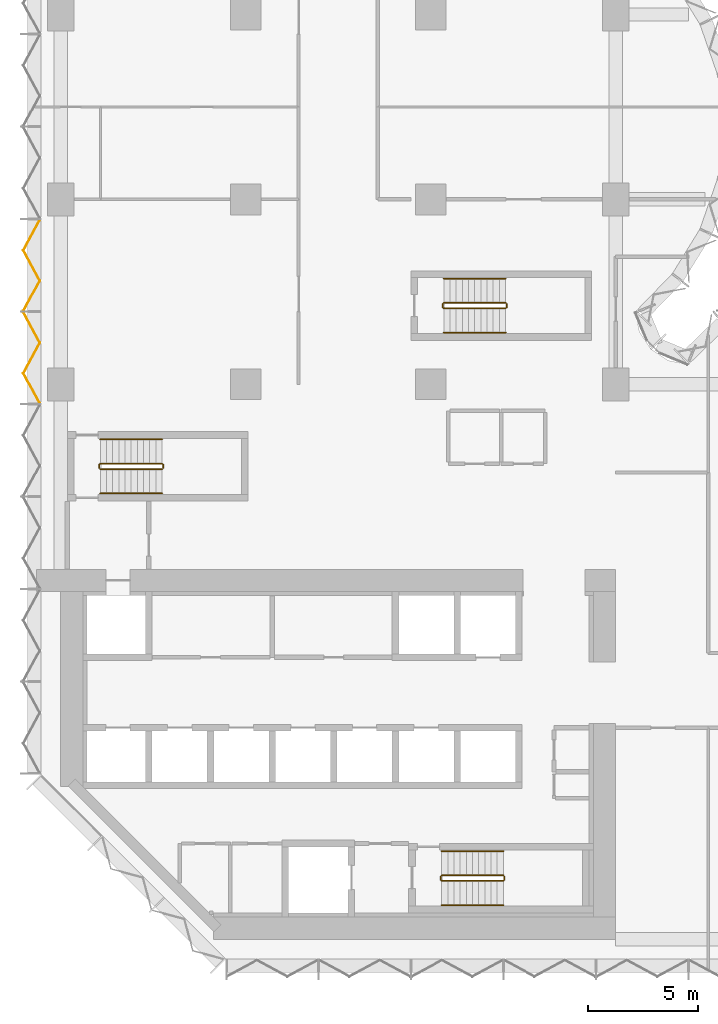
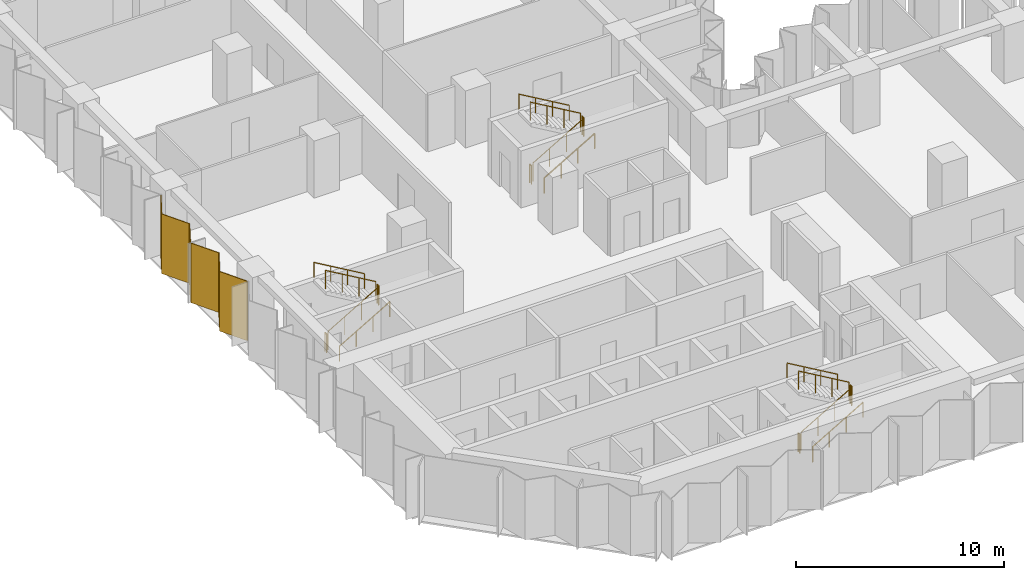
# One storey, part 13 of 15: 18 railings, 2 coverings, 1 element without a shape of its own.
"""IFC4 building model written with IfcOpenShell, lengths in metres."""

from ifc_helpers import new_model, si_unit, direction, frame, origin, origin_2d, place, context, subcontext, project, spatial, polyline, circle, outline, extrude, material, layer, layer_set, type_object, element, aggregate, save


model = new_model("IFC4")

# Units and contexts
model_context = context("Model", 3, precision=1e-05, world=origin(), true_north=direction((0.0, 1.0)))
body_context = subcontext(model_context, "Body", "Model", "MODEL_VIEW")
ifc_project = project(units=[si_unit("LENGTHUNIT", "METRE"), si_unit("AREAUNIT", "SQUARE_METRE"), si_unit("VOLUMEUNIT", "CUBIC_METRE"), si_unit("PLANEANGLEUNIT", "RADIAN"), si_unit("MASSUNIT", "GRAM", prefix="KILO")], contexts=[model_context])

# Site, building, storey
site_placement = place(None, origin())
site = spatial("IfcSite", under=ifc_project, at=site_placement, CompositionType="ELEMENT")
building_placement = place(site_placement, origin())
building = spatial("IfcBuilding", under=site, at=building_placement, Name="Brevane Broadcast Tower", CompositionType="ELEMENT")
storey_placement = place(building_placement, frame((0.0, 0.0, 79.699951171875)))
storey = spatial("IfcBuildingStorey", under=building, at=storey_placement, Name="L18", CompositionType="ELEMENT", Elevation=79.699951171875)

# Railings
ifc_material_1 = material(Name="Steel S355", Category="steel")
railing_type_1 = type_object("IfcRailingType", Name="Exit stair guard", PredefinedType="GUARDRAIL", material=ifc_material_1)
railing_1_placement = place(storey_placement, frame((1.800048828125, 21.35009765625, 0.16357421875)))
element("IfcRailing", 1, at=railing_1_placement, inside=storey, type_object=railing_type_1, Name="L18 ST-1 stair guard 1", PredefinedType="GUARDRAIL", context=body_context, shape_type="SweptSolid", body=[
    extrude(circle(Radius=0.02392578125, at=origin_2d()), frame((0.0, 0.0, 1.076171875), z_axis=(0.863360870873, 0.0, 0.504586966384), x_axis=(0.0, 1.0, 0.0)), (0.0, 0.0, 1.0), 3.2431640625),
    extrude(circle(Radius=0.02099609375, at=origin_2d()), origin(), (0.0, 0.0, 1.0), 1.052001953125),
    extrude(circle(Radius=0.02099609375, at=origin_2d()), frame((0.933349609375, 0.0, 0.54541015625)), (0.0, 0.0, 1.0), 1.052001953125),
    extrude(circle(Radius=0.02099609375, at=origin_2d()), frame((1.86669921875, 0.0, 1.091064453125)), (0.0, 0.0, 1.0), 1.052001953125),
    extrude(circle(Radius=0.02099609375, at=origin_2d()), frame((2.800048828125, 0.0, 1.636474609375)), (0.0, 0.0, 1.0), 1.052001953125),
])
railing_2_placement = place(storey_placement, frame((4.64990234375, 21.39990234375, 1.800048828125)))
element("IfcRailing", 2, at=railing_2_placement, inside=storey, type_object=railing_type_1, Name="L18 ST-1 stair guard 2", PredefinedType="GUARDRAIL", context=body_context, shape_type="SweptSolid", body=[
    extrude(circle(Radius=0.02392578125, at=origin_2d()), frame((0.0, 0.0, 1.076171875), z_axis=(0.0, 1.0, 0.0), x_axis=(-1.0, 0.0, 0.0)), (0.0, 0.0, 1.0), 0.150146484375),
    extrude(circle(Radius=0.02099609375, at=origin_2d()), origin(), (0.0, 0.0, 1.0), 1.052001953125),
    extrude(circle(Radius=0.02099609375, at=origin_2d()), frame((0.0, 0.150146484375, 0.0)), (0.0, 0.0, 1.0), 1.052001953125),
])
railing_3_placement = place(storey_placement, frame((4.60009765625, 21.60009765625, 1.963623046875)))
element("IfcRailing", 3, at=railing_3_placement, inside=storey, type_object=railing_type_1, Name="L18 ST-1 stair guard 3", PredefinedType="GUARDRAIL", context=body_context, shape_type="SweptSolid", body=[
    extrude(circle(Radius=0.02392578125, at=origin_2d()), frame((0.0, 0.0, 1.076171875), z_axis=(-0.863360870873, 0.0, 0.504586966384), x_axis=(0.0, -1.0, 0.0)), (0.0, 0.0, 1.0), 3.2431640625),
    extrude(circle(Radius=0.02099609375, at=origin_2d()), origin(), (0.0, 0.0, 1.0), 1.052001953125),
    extrude(circle(Radius=0.02099609375, at=origin_2d()), frame((-0.933349609375, 0.0, 0.54541015625)), (0.0, 0.0, 1.0), 1.052001953125),
    extrude(circle(Radius=0.02099609375, at=origin_2d()), frame((-1.86669921875, 0.0, 1.091064453125)), (0.0, 0.0, 1.0), 1.052001953125),
    extrude(circle(Radius=0.02099609375, at=origin_2d()), frame((-2.800048828125, 0.0, 1.636474609375)), (0.0, 0.0, 1.0), 1.052001953125),
])
railing_4_placement = place(storey_placement, frame((1.75, 21.39990234375, 0.0)))
element("IfcRailing", 4, at=railing_4_placement, inside=storey, type_object=railing_type_1, Name="L18 ST-1 stair guard 4", PredefinedType="GUARDRAIL", context=body_context, shape_type="SweptSolid", body=[
    extrude(circle(Radius=0.02392578125, at=origin_2d()), frame((0.0, 0.0, 1.076171875), z_axis=(0.0, 1.0, 0.0), x_axis=(-1.0, 0.0, 0.0)), (0.0, 0.0, 1.0), 0.150146484375),
    extrude(circle(Radius=0.02099609375, at=origin_2d()), origin(), (0.0, 0.0, 1.0), 1.052001953125),
    extrude(circle(Radius=0.02099609375, at=origin_2d()), frame((0.0, 0.150146484375, 0.0)), (0.0, 0.0, 1.0), 1.052001953125),
])
railing_5_placement = place(storey_placement, frame((17.300048828125, 2.64990234375, 0.16357421875)))
element("IfcRailing", 5, at=railing_5_placement, inside=storey, type_object=railing_type_1, Name="L18 ST-2 stair guard 1", PredefinedType="GUARDRAIL", context=body_context, shape_type="SweptSolid", body=[
    extrude(circle(Radius=0.02392578125, at=origin_2d()), frame((0.0, 0.0, 1.076171875), z_axis=(0.863360870873, 0.0, 0.504586966384), x_axis=(0.0, 1.0, 0.0)), (0.0, 0.0, 1.0), 3.2431640625),
    extrude(circle(Radius=0.02099609375, at=origin_2d()), origin(), (0.0, 0.0, 1.0), 1.052001953125),
    extrude(circle(Radius=0.02099609375, at=origin_2d()), frame((0.933349609375, 0.0, 0.54541015625)), (0.0, 0.0, 1.0), 1.052001953125),
    extrude(circle(Radius=0.02099609375, at=origin_2d()), frame((1.86669921875, 0.0, 1.091064453125)), (0.0, 0.0, 1.0), 1.052001953125),
    extrude(circle(Radius=0.02099609375, at=origin_2d()), frame((2.800048828125, 0.0, 1.636474609375)), (0.0, 0.0, 1.0), 1.052001953125),
])
railing_6_placement = place(storey_placement, frame((20.14990234375, 2.699951171875, 1.800048828125)))
element("IfcRailing", 6, at=railing_6_placement, inside=storey, type_object=railing_type_1, Name="L18 ST-2 stair guard 2", PredefinedType="GUARDRAIL", context=body_context, shape_type="SweptSolid", body=[
    extrude(circle(Radius=0.02392578125, at=origin_2d()), frame((0.0, 0.0, 1.076171875), z_axis=(0.0, 1.0, 0.0), x_axis=(-1.0, 0.0, 0.0)), (0.0, 0.0, 1.0), 0.150146484375),
    extrude(circle(Radius=0.02099609375, at=origin_2d()), origin(), (0.0, 0.0, 1.0), 1.052001953125),
    extrude(circle(Radius=0.02099609375, at=origin_2d()), frame((0.0, 0.150146484375, 0.0)), (0.0, 0.0, 1.0), 1.052001953125),
])
railing_7_placement = place(storey_placement, frame((20.10009765625, 2.89990234375, 1.963623046875)))
element("IfcRailing", 7, at=railing_7_placement, inside=storey, type_object=railing_type_1, Name="L18 ST-2 stair guard 3", PredefinedType="GUARDRAIL", context=body_context, shape_type="SweptSolid", body=[
    extrude(circle(Radius=0.02392578125, at=origin_2d()), frame((0.0, 0.0, 1.076171875), z_axis=(-0.863360870873, 0.0, 0.504586966384), x_axis=(0.0, -1.0, 0.0)), (0.0, 0.0, 1.0), 3.2431640625),
    extrude(circle(Radius=0.02099609375, at=origin_2d()), origin(), (0.0, 0.0, 1.0), 1.052001953125),
    extrude(circle(Radius=0.02099609375, at=origin_2d()), frame((-0.933349609375, 0.0, 0.54541015625)), (0.0, 0.0, 1.0), 1.052001953125),
    extrude(circle(Radius=0.02099609375, at=origin_2d()), frame((-1.86669921875, 0.0, 1.091064453125)), (0.0, 0.0, 1.0), 1.052001953125),
    extrude(circle(Radius=0.02099609375, at=origin_2d()), frame((-2.800048828125, 0.0, 1.636474609375)), (0.0, 0.0, 1.0), 1.052001953125),
])
railing_8_placement = place(storey_placement, frame((17.25, 2.699951171875, 0.0)))
element("IfcRailing", 8, at=railing_8_placement, inside=storey, type_object=railing_type_1, Name="L18 ST-2 stair guard 4", PredefinedType="GUARDRAIL", context=body_context, shape_type="SweptSolid", body=[
    extrude(circle(Radius=0.02392578125, at=origin_2d()), frame((0.0, 0.0, 1.076171875), z_axis=(0.0, 1.0, 0.0), x_axis=(-1.0, 0.0, 0.0)), (0.0, 0.0, 1.0), 0.150146484375),
    extrude(circle(Radius=0.02099609375, at=origin_2d()), origin(), (0.0, 0.0, 1.0), 1.052001953125),
    extrude(circle(Radius=0.02099609375, at=origin_2d()), frame((0.0, 0.150146484375, 0.0)), (0.0, 0.0, 1.0), 1.052001953125),
])
railing_9_placement = place(storey_placement, frame((17.39990234375, 28.64990234375, 0.16357421875)))
element("IfcRailing", 9, at=railing_9_placement, inside=storey, type_object=railing_type_1, Name="L18 ST-3 stair guard 1", PredefinedType="GUARDRAIL", context=body_context, shape_type="SweptSolid", body=[
    extrude(circle(Radius=0.02392578125, at=origin_2d()), frame((0.0, 0.0, 1.076171875), z_axis=(0.863360870873, 0.0, 0.504586966384), x_axis=(0.0, 1.0, 0.0)), (0.0, 0.0, 1.0), 3.2431640625),
    extrude(circle(Radius=0.02099609375, at=origin_2d()), origin(), (0.0, 0.0, 1.0), 1.052001953125),
    extrude(circle(Radius=0.02099609375, at=origin_2d()), frame((0.933349609375, 0.0, 0.54541015625)), (0.0, 0.0, 1.0), 1.052001953125),
    extrude(circle(Radius=0.02099609375, at=origin_2d()), frame((1.86669921875, 0.0, 1.091064453125)), (0.0, 0.0, 1.0), 1.052001953125),
    extrude(circle(Radius=0.02099609375, at=origin_2d()), frame((2.800048828125, 0.0, 1.636474609375)), (0.0, 0.0, 1.0), 1.052001953125),
])
railing_10_placement = place(storey_placement, frame((20.25, 28.699951171875, 1.800048828125)))
element("IfcRailing", 10, at=railing_10_placement, inside=storey, type_object=railing_type_1, Name="L18 ST-3 stair guard 2", PredefinedType="GUARDRAIL", context=body_context, shape_type="SweptSolid", body=[
    extrude(circle(Radius=0.02392578125, at=origin_2d()), frame((0.0, 0.0, 1.076171875), z_axis=(0.0, 1.0, 0.0), x_axis=(-1.0, 0.0, 0.0)), (0.0, 0.0, 1.0), 0.150146484375),
    extrude(circle(Radius=0.02099609375, at=origin_2d()), origin(), (0.0, 0.0, 1.0), 1.052001953125),
    extrude(circle(Radius=0.02099609375, at=origin_2d()), frame((0.0, 0.150146484375, 0.0)), (0.0, 0.0, 1.0), 1.052001953125),
])
railing_11_placement = place(storey_placement, frame((20.199951171875, 28.89990234375, 1.963623046875)))
element("IfcRailing", 11, at=railing_11_placement, inside=storey, type_object=railing_type_1, Name="L18 ST-3 stair guard 3", PredefinedType="GUARDRAIL", context=body_context, shape_type="SweptSolid", body=[
    extrude(circle(Radius=0.02392578125, at=origin_2d()), frame((0.0, 0.0, 1.076171875), z_axis=(-0.863360870873, 0.0, 0.504586966384), x_axis=(0.0, -1.0, 0.0)), (0.0, 0.0, 1.0), 3.2431640625),
    extrude(circle(Radius=0.02099609375, at=origin_2d()), origin(), (0.0, 0.0, 1.0), 1.052001953125),
    extrude(circle(Radius=0.02099609375, at=origin_2d()), frame((-0.933349609375, 0.0, 0.54541015625)), (0.0, 0.0, 1.0), 1.052001953125),
    extrude(circle(Radius=0.02099609375, at=origin_2d()), frame((-1.86669921875, 0.0, 1.091064453125)), (0.0, 0.0, 1.0), 1.052001953125),
    extrude(circle(Radius=0.02099609375, at=origin_2d()), frame((-2.800048828125, 0.0, 1.636474609375)), (0.0, 0.0, 1.0), 1.052001953125),
])
railing_12_placement = place(storey_placement, frame((17.35009765625, 28.699951171875, 0.0)))
element("IfcRailing", 12, at=railing_12_placement, inside=storey, type_object=railing_type_1, Name="L18 ST-3 stair guard 4", PredefinedType="GUARDRAIL", context=body_context, shape_type="SweptSolid", body=[
    extrude(circle(Radius=0.02392578125, at=origin_2d()), frame((0.0, 0.0, 1.076171875), z_axis=(0.0, 1.0, 0.0), x_axis=(-1.0, 0.0, 0.0)), (0.0, 0.0, 1.0), 0.150146484375),
    extrude(circle(Radius=0.02099609375, at=origin_2d()), origin(), (0.0, 0.0, 1.0), 1.052001953125),
    extrude(circle(Radius=0.02099609375, at=origin_2d()), frame((0.0, 0.150146484375, 0.0)), (0.0, 0.0, 1.0), 1.052001953125),
])
railing_type_2 = type_object("IfcRailingType", Name="Exit stair handrail", PredefinedType="HANDRAIL", material=ifc_material_1)
railing_13_placement = place(storey_placement, frame((1.800048828125, 20.25, 0.16357421875)))
element("IfcRailing", 13, at=railing_13_placement, inside=storey, type_object=railing_type_2, Name="L18 ST-1 stair handrail 1", PredefinedType="HANDRAIL", context=body_context, shape_type="SweptSolid", body=[
    extrude(circle(Radius=0.02392578125, at=origin_2d()), frame((0.0, 0.0, 0.8759765625), z_axis=(0.863360870873, 0.0, 0.504586966384), x_axis=(0.0, 1.0, 0.0)), (0.0, 0.0, 1.0), 3.2431640625),
    extrude(circle(Radius=0.02099609375, at=origin_2d()), origin(), (0.0, 0.0, 1.0), 0.851806640625),
    extrude(circle(Radius=0.02099609375, at=origin_2d()), frame((0.933349609375, 0.0, 0.54541015625)), (0.0, 0.0, 1.0), 0.851806640625),
    extrude(circle(Radius=0.02099609375, at=origin_2d()), frame((1.86669921875, 0.0, 1.091064453125)), (0.0, 0.0, 1.0), 0.851806640625),
    extrude(circle(Radius=0.02099609375, at=origin_2d()), frame((2.800048828125, 0.0, 1.636474609375)), (0.0, 0.0, 1.0), 0.851806640625),
])
railing_14_placement = place(storey_placement, frame((4.60009765625, 22.699951171875, 1.963623046875)))
element("IfcRailing", 14, at=railing_14_placement, inside=storey, type_object=railing_type_2, Name="L18 ST-1 stair handrail 2", PredefinedType="HANDRAIL", context=body_context, shape_type="SweptSolid", body=[
    extrude(circle(Radius=0.02392578125, at=origin_2d()), frame((0.0, 0.0, 0.8759765625), z_axis=(-0.863360870873, 0.0, 0.504586966384), x_axis=(0.0, -1.0, 0.0)), (0.0, 0.0, 1.0), 3.2431640625),
    extrude(circle(Radius=0.02099609375, at=origin_2d()), origin(), (0.0, 0.0, 1.0), 0.851806640625),
    extrude(circle(Radius=0.02099609375, at=origin_2d()), frame((-0.933349609375, 0.0, 0.54541015625)), (0.0, 0.0, 1.0), 0.851806640625),
    extrude(circle(Radius=0.02099609375, at=origin_2d()), frame((-1.86669921875, 0.0, 1.091064453125)), (0.0, 0.0, 1.0), 0.851806640625),
    extrude(circle(Radius=0.02099609375, at=origin_2d()), frame((-2.800048828125, 0.0, 1.636474609375)), (0.0, 0.0, 1.0), 0.851806640625),
])
railing_15_placement = place(storey_placement, frame((17.300048828125, 1.550048828125, 0.16357421875)))
element("IfcRailing", 15, at=railing_15_placement, inside=storey, type_object=railing_type_2, Name="L18 ST-2 stair handrail 1", PredefinedType="HANDRAIL", context=body_context, shape_type="SweptSolid", body=[
    extrude(circle(Radius=0.02392578125, at=origin_2d()), frame((0.0, 0.0, 0.8759765625), z_axis=(0.863360870873, 0.0, 0.504586966384), x_axis=(0.0, 1.0, 0.0)), (0.0, 0.0, 1.0), 3.2431640625),
    extrude(circle(Radius=0.02099609375, at=origin_2d()), origin(), (0.0, 0.0, 1.0), 0.851806640625),
    extrude(circle(Radius=0.02099609375, at=origin_2d()), frame((0.933349609375, 0.0, 0.54541015625)), (0.0, 0.0, 1.0), 0.851806640625),
    extrude(circle(Radius=0.02099609375, at=origin_2d()), frame((1.86669921875, 0.0, 1.091064453125)), (0.0, 0.0, 1.0), 0.851806640625),
    extrude(circle(Radius=0.02099609375, at=origin_2d()), frame((2.800048828125, 0.0, 1.636474609375)), (0.0, 0.0, 1.0), 0.851806640625),
])
railing_16_placement = place(storey_placement, frame((20.10009765625, 4.0, 1.963623046875)))
element("IfcRailing", 16, at=railing_16_placement, inside=storey, type_object=railing_type_2, Name="L18 ST-2 stair handrail 2", PredefinedType="HANDRAIL", context=body_context, shape_type="SweptSolid", body=[
    extrude(circle(Radius=0.02392578125, at=origin_2d()), frame((0.0, 0.0, 0.8759765625), z_axis=(-0.863360870873, 0.0, 0.504586966384), x_axis=(0.0, -1.0, 0.0)), (0.0, 0.0, 1.0), 3.2431640625),
    extrude(circle(Radius=0.02099609375, at=origin_2d()), origin(), (0.0, 0.0, 1.0), 0.851806640625),
    extrude(circle(Radius=0.02099609375, at=origin_2d()), frame((-0.933349609375, 0.0, 0.54541015625)), (0.0, 0.0, 1.0), 0.851806640625),
    extrude(circle(Radius=0.02099609375, at=origin_2d()), frame((-1.86669921875, 0.0, 1.091064453125)), (0.0, 0.0, 1.0), 0.851806640625),
    extrude(circle(Radius=0.02099609375, at=origin_2d()), frame((-2.800048828125, 0.0, 1.636474609375)), (0.0, 0.0, 1.0), 0.851806640625),
])
railing_17_placement = place(storey_placement, frame((17.39990234375, 27.550048828125, 0.16357421875)))
element("IfcRailing", 17, at=railing_17_placement, inside=storey, type_object=railing_type_2, Name="L18 ST-3 stair handrail 1", PredefinedType="HANDRAIL", context=body_context, shape_type="SweptSolid", body=[
    extrude(circle(Radius=0.02392578125, at=origin_2d()), frame((0.0, 0.0, 0.8759765625), z_axis=(0.863360870873, 0.0, 0.504586966384), x_axis=(0.0, 1.0, 0.0)), (0.0, 0.0, 1.0), 3.2431640625),
    extrude(circle(Radius=0.02099609375, at=origin_2d()), origin(), (0.0, 0.0, 1.0), 0.851806640625),
    extrude(circle(Radius=0.02099609375, at=origin_2d()), frame((0.933349609375, 0.0, 0.54541015625)), (0.0, 0.0, 1.0), 0.851806640625),
    extrude(circle(Radius=0.02099609375, at=origin_2d()), frame((1.86669921875, 0.0, 1.091064453125)), (0.0, 0.0, 1.0), 0.851806640625),
    extrude(circle(Radius=0.02099609375, at=origin_2d()), frame((2.800048828125, 0.0, 1.636474609375)), (0.0, 0.0, 1.0), 0.851806640625),
])
railing_18_placement = place(storey_placement, frame((20.199951171875, 30.0, 1.963623046875)))
element("IfcRailing", 18, at=railing_18_placement, inside=storey, type_object=railing_type_2, Name="L18 ST-3 stair handrail 2", PredefinedType="HANDRAIL", context=body_context, shape_type="SweptSolid", body=[
    extrude(circle(Radius=0.02392578125, at=origin_2d()), frame((0.0, 0.0, 0.8759765625), z_axis=(-0.863360870873, 0.0, 0.504586966384), x_axis=(0.0, -1.0, 0.0)), (0.0, 0.0, 1.0), 3.2431640625),
    extrude(circle(Radius=0.02099609375, at=origin_2d()), origin(), (0.0, 0.0, 1.0), 0.851806640625),
    extrude(circle(Radius=0.02099609375, at=origin_2d()), frame((-0.933349609375, 0.0, 0.54541015625)), (0.0, 0.0, 1.0), 0.851806640625),
    extrude(circle(Radius=0.02099609375, at=origin_2d()), frame((-1.86669921875, 0.0, 1.091064453125)), (0.0, 0.0, 1.0), 0.851806640625),
    extrude(circle(Radius=0.02099609375, at=origin_2d()), frame((-2.800048828125, 0.0, 1.636474609375)), (0.0, 0.0, 1.0), 0.851806640625),
])

# Curtain wall, coverings
ifc_material_2 = material(Name="Aluminium 6063-T6 bronze anodised", Category="aluminium")
curtain_wall_type = type_object("IfcCurtainWallType", Name="CW-1 curtain wall", PredefinedType="NOTDEFINED", material=ifc_material_2)
curtain_wall_placement = place(storey_placement, origin())
curtain_wall = element("IfcCurtainWall", 19, at=curtain_wall_placement, inside=storey, type_object=curtain_wall_type, Name="CW-1 typical tilted unit L18 west face", PredefinedType="NOTDEFINED")
ifc_material_3 = material(Name="Back-painted bronze glass shadow-box", Category="glass")
ifc_layer = layer(ifc_material_3, 0.0400390625)
ifc_layer_set = layer_set([ifc_layer], Name="Shadow-box panel 40")
covering_type = type_object("IfcCoveringType", Name="Shadow-box panel 40", PredefinedType="CLADDING", material=ifc_layer_set)
covering_1_placement = place(storey_placement, frame((0.0, 0.0, -0.14990234375)))
covering_1 = element("IfcCovering", 20, at=covering_1_placement, type_object=covering_type, Name="Shadow-box panel", PredefinedType="CLADDING", context=body_context, shape_type="SweptSolid", body=[
    extrude(outline(polyline([(-0.92724609375, 32.6650390625), (-0.97265625, 32.6650390625), (-1.717041015625, 31.288330078125), (-0.97265625, 29.91162109375), (-1.717041015625, 28.534912109375), (-1.671630859375, 28.534912109375), (-0.92724609375, 29.91162109375), (-1.671630859375, 31.288330078125), (-0.92724609375, 32.6650390625)])), origin(), (0.0, 0.0, 1.0), 3.5),
])
covering_2_placement = place(storey_placement, frame((0.0, 0.0, -0.14990234375)))
covering_2 = element("IfcCovering", 21, at=covering_2_placement, type_object=covering_type, Name="Shadow-box panel", PredefinedType="CLADDING", context=body_context, shape_type="SweptSolid", body=[
    extrude(outline(polyline([(-1.671630859375, 28.465087890625), (-1.717041015625, 28.465087890625), (-0.97265625, 27.08837890625), (-1.717041015625, 25.711669921875), (-0.97265625, 24.3349609375), (-0.92724609375, 24.3349609375), (-1.671630859375, 25.711669921875), (-0.92724609375, 27.08837890625), (-1.671630859375, 28.465087890625)])), origin(), (0.0, 0.0, 1.0), 3.5),
])
aggregate(curtain_wall, [covering_1, covering_2])

save(model, "model.ifc")
